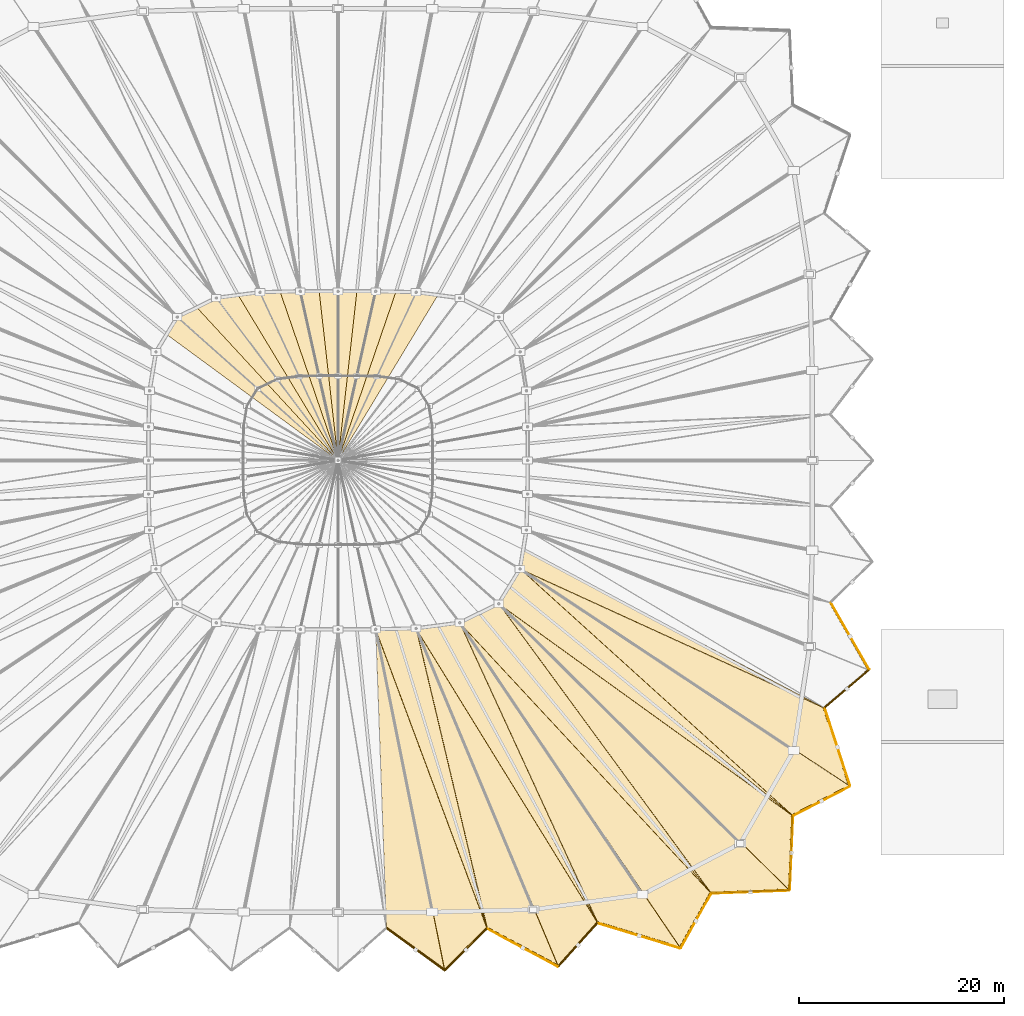
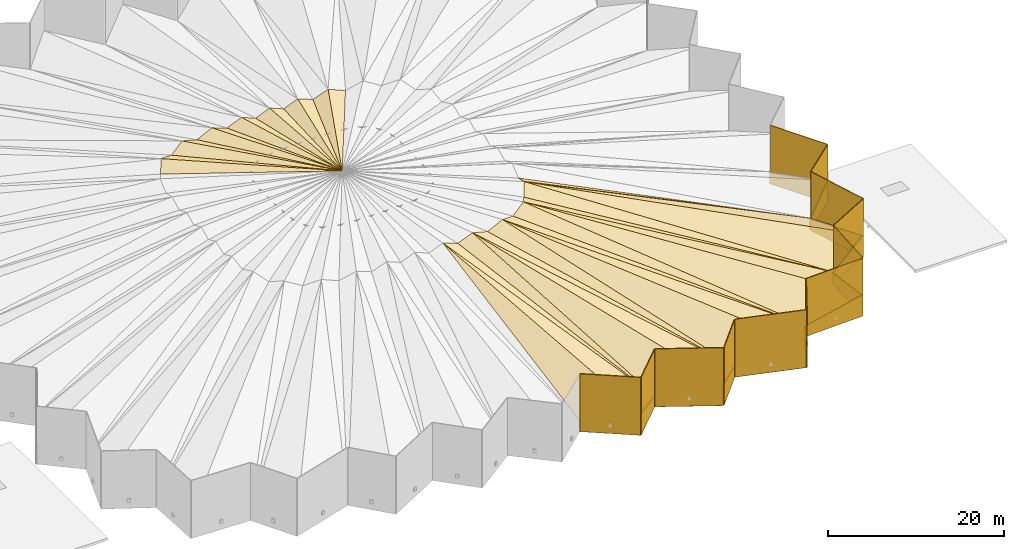
# One storey, part 38 of 41: 45 coverings, 12 shading devices.
"""IFC4 building model written with IfcOpenShell, lengths in metres."""

from ifc_helpers import new_model, si_unit, direction, frame, origin, origin_2d, place, context, subcontext, project, spatial, polyline, rectangle, outline, extrude, material, layer, layer_set, type_object, element, save


model = new_model("IFC4")

# Units and contexts
model_context = context("Model", 3, precision=1e-05, world=origin(), true_north=direction((0.0, 1.0)))
body_context = subcontext(model_context, "Body", "Model", "MODEL_VIEW")
ifc_project = project(units=[si_unit("LENGTHUNIT", "METRE"), si_unit("AREAUNIT", "SQUARE_METRE"), si_unit("VOLUMEUNIT", "CUBIC_METRE"), si_unit("PLANEANGLEUNIT", "RADIAN"), si_unit("MASSUNIT", "GRAM", prefix="KILO")], contexts=[model_context])

# Site, building, storey
site_placement = place(None, origin())
site = spatial("IfcSite", under=ifc_project, at=site_placement, CompositionType="ELEMENT")
building_placement = place(site_placement, origin())
building = spatial("IfcBuilding", under=site, at=building_placement, Name="Luwafu Chhajja Arena", CompositionType="ELEMENT")
storey_placement = place(building_placement, frame((0.0, 0.0, 29.699951171875)))
storey = spatial("IfcBuildingStorey", under=building, at=storey_placement, Name="RF", CompositionType="ELEMENT", Elevation=29.699951171875)

# Shading devices
ifc_material_1 = material(Name="Pierced buff sandstone jali", Category="masonry")
ifc_layer_1 = layer(ifc_material_1, 0.080078125, Name="Pierced buff sandstone jali")
ifc_layer_set_1 = layer_set([ifc_layer_1], Name="Pierced buff sandstone jali")
shading_device_type = type_object("IfcShadingDeviceType", Name="Pierced Buff-Sandstone Jali Screen", PredefinedType="JALOUSIE", material=ifc_layer_set_1)
shading_device_1_placement = place(storey_placement, frame((106.570068359375, 1.723388671875, -1.06005859375), z_axis=(0.0, 0.0, 1.0), x_axis=(0.808838836348, -0.588030387663, 0.0)))
element("IfcShadingDevice", 1, at=shading_device_1_placement, inside=storey, type_object=shading_device_type, Name="RF Crown Acoustic Jali Screen 50", PredefinedType="JALOUSIE", context=body_context, shape_type="SweptSolid", body=[
    extrude(rectangle(XDim=6.927490234375, YDim=0.080078125, at=origin_2d()), origin(), (0.0, 0.0, 1.0), 8.02001953125),
])
shading_device_2_placement = place(storey_placement, frame((111.4892578125, 1.716796875, -1.06005859375), z_axis=(0.0, 0.0, 1.0), x_axis=(0.710108737602, 0.70409202579, 0.0)))
element("IfcShadingDevice", 2, at=shading_device_2_placement, inside=storey, type_object=shading_device_type, Name="RF Crown Acoustic Jali Screen 51", PredefinedType="JALOUSIE", context=body_context, shape_type="SweptSolid", body=[
    extrude(rectangle(XDim=5.75048828125, YDim=0.080078125, at=origin_2d()), origin(), (0.0, 0.0, 1.0), 8.02001953125),
])
shading_device_3_placement = place(storey_placement, frame((117.038818359375, 1.913818359375, -1.06005859375), z_axis=(0.0, 0.0, 1.0), x_axis=(0.881200624672, -0.472742487067, 0.0)))
element("IfcShadingDevice", 3, at=shading_device_3_placement, inside=storey, type_object=shading_device_type, Name="RF Crown Acoustic Jali Screen 52", PredefinedType="JALOUSIE", context=body_context, shape_type="SweptSolid", body=[
    extrude(rectangle(XDim=7.780517578125, YDim=0.080078125, at=origin_2d()), origin(), (0.0, 0.0, 1.0), 8.02001953125),
])
shading_device_4_placement = place(storey_placement, frame((122.4375, 2.18359375, -1.06005859375), z_axis=(0.0, 0.0, 1.0), x_axis=(0.670358269136, 0.742037594062, 0.0)))
element("IfcShadingDevice", 4, at=shading_device_4_placement, inside=storey, type_object=shading_device_type, Name="RF Crown Acoustic Jali Screen 53", PredefinedType="JALOUSIE", context=body_context, shape_type="SweptSolid", body=[
    extrude(rectangle(XDim=5.647705078125, YDim=0.080078125, at=origin_2d()), origin(), (0.0, 0.0, 1.0), 8.02001953125),
])
shading_device_5_placement = place(storey_placement, frame((128.395751953125, 3.090087890625, -1.06005859375), z_axis=(0.0, 0.0, 1.0), x_axis=(0.9567402425, -0.290943479702, 0.0)))
element("IfcShadingDevice", 5, at=shading_device_5_placement, inside=storey, type_object=shading_device_type, Name="RF Crown Acoustic Jali Screen 54", PredefinedType="JALOUSIE", context=body_context, shape_type="SweptSolid", body=[
    extrude(rectangle(XDim=8.328125, YDim=0.080078125, at=origin_2d()), origin(), (0.0, 0.0, 1.0), 8.02001953125),
])
shading_device_6_placement = place(storey_placement, frame((133.9267578125, 4.550537109375, -1.06005859375), z_axis=(0.0, 0.0, 1.0), x_axis=(0.487313131845, 0.873227296603, 0.0)))
element("IfcShadingDevice", 6, at=shading_device_6_placement, inside=storey, type_object=shading_device_type, Name="RF Crown Acoustic Jali Screen 55", PredefinedType="JALOUSIE", context=body_context, shape_type="SweptSolid", body=[
    extrude(rectangle(XDim=6.052978515625, YDim=0.080078125, at=origin_2d()), origin(), (0.0, 0.0, 1.0), 8.02001953125),
])
shading_device_7_placement = place(storey_placement, frame((139.254638671875, 7.38037109375, -1.06005859375), z_axis=(0.0, 0.0, 1.0), x_axis=(0.999297927203, 0.037465353157, 0.0)))
element("IfcShadingDevice", 7, at=shading_device_7_placement, inside=storey, type_object=shading_device_type, Name="RF Crown Acoustic Jali Screen 56", PredefinedType="JALOUSIE", context=body_context, shape_type="SweptSolid", body=[
    extrude(rectangle(XDim=7.56298828125, YDim=0.080078125, at=origin_2d()), origin(), (0.0, 0.0, 1.0), 8.02001953125),
])
shading_device_8_placement = place(storey_placement, frame((143.2421875, 11.16357421875, -1.06005859375), z_axis=(0.0, 0.0, 1.0), x_axis=(0.043562300264, 0.999050712424, 0.0)))
element("IfcShadingDevice", 8, at=shading_device_8_placement, inside=storey, type_object=shading_device_type, Name="RF Crown Acoustic Jali Screen 57", PredefinedType="JALOUSIE", context=body_context, shape_type="SweptSolid", body=[
    extrude(rectangle(XDim=7.18603515625, YDim=0.080078125, at=origin_2d()), origin(), (0.0, 0.0, 1.0), 8.02001953125),
])
shading_device_9_placement = place(storey_placement, frame((146.197509765625, 16.24755859375, -1.06005859375), z_axis=(0.0, 0.0, 1.0), x_axis=(0.888491974028, 0.458892157361, 0.0)))
element("IfcShadingDevice", 9, at=shading_device_9_placement, inside=storey, type_object=shading_device_type, Name="RF Crown Acoustic Jali Screen 58", PredefinedType="JALOUSIE", context=body_context, shape_type="SweptSolid", body=[
    extrude(rectangle(XDim=6.1953125, YDim=0.080078125, at=origin_2d()), origin(), (0.0, 0.0, 1.0), 8.02001953125),
])
shading_device_10_placement = place(storey_placement, frame((147.749267578125, 21.507080078125, -1.06005859375), z_axis=(0.0, 0.0, 1.0), x_axis=(-0.310226236034, 0.950662759593, 0.0)))
element("IfcShadingDevice", 10, at=shading_device_10_placement, inside=storey, type_object=shading_device_type, Name="RF Crown Acoustic Jali Screen 59", PredefinedType="JALOUSIE", context=body_context, shape_type="SweptSolid", body=[
    extrude(rectangle(XDim=7.926513671875, YDim=0.080078125, at=origin_2d()), origin(), (0.0, 0.0, 1.0), 8.02001953125),
])
shading_device_11_placement = place(storey_placement, frame((148.68359375, 27.18359375, -1.06005859375), z_axis=(0.0, 0.0, 1.0), x_axis=(0.760438832621, 0.649409564021, 0.0)))
element("IfcShadingDevice", 11, at=shading_device_11_placement, inside=storey, type_object=shading_device_type, Name="RF Crown Acoustic Jali Screen 60", PredefinedType="JALOUSIE", context=body_context, shape_type="SweptSolid", body=[
    extrude(rectangle(XDim=5.6318359375, YDim=0.080078125, at=origin_2d()), origin(), (0.0, 0.0, 1.0), 8.02001953125),
])
shading_device_12_placement = place(storey_placement, frame((148.98291015625, 32.3251953125, -1.06005859375), z_axis=(0.0, 0.0, 1.0), x_axis=(-0.497200973482, 0.867635402671, 0.0)))
element("IfcShadingDevice", 12, at=shading_device_12_placement, inside=storey, type_object=shading_device_type, Name="RF Crown Acoustic Jali Screen 61", PredefinedType="JALOUSIE", context=body_context, shape_type="SweptSolid", body=[
    extrude(rectangle(XDim=7.4619140625, YDim=0.080078125, at=origin_2d()), origin(), (0.0, 0.0, 1.0), 8.02001953125),
])

# Coverings
ifc_material_2 = material(Name="White architectural roof membrane")
ifc_layer_2 = layer(ifc_material_2, 0.06005859375, Name="White architectural roof membrane")
ifc_layer_set_2 = layer_set([ifc_layer_2], Name="White architectural roof membrane")
covering_type = type_object("IfcCoveringType", Name="White Architectural Standing-Seam Roofing", PredefinedType="ROOFING", material=ifc_layer_set_2)
covering_1_placement = place(storey_placement, frame((108.74658203125, 65.627197265625, 6.965087890625), z_axis=(0.322673472278, -0.075662540078, 0.943481324838), x_axis=(-0.936088370504, 0.122005092805, 0.329929265051)))
element("IfcCovering", 13, at=covering_1_placement, inside=storey, type_object=covering_type, Name="Oculus Standing-Seam Roof Covering 06OB", PredefinedType="ROOFING", context=body_context, shape_type="SweptSolid", body=[
    extrude(outline(polyline([(0.0, 0.0), (2.273214532464525, 5.551115123125783e-17), (7.829130481095709, 17.2611942872668), (0.0, 0.0)])), origin(), (0.0, 0.0, -1.0), 0.06005859375),
])
covering_2_placement = place(storey_placement, frame((106.61865234375, 65.904541015625, 7.715087890625), z_axis=(-0.341573407633, 0.230291018044, 0.911204507345), x_axis=(-0.934341985642, 0.021653482627, -0.355719244007)))
element("IfcCovering", 14, at=covering_2_placement, inside=storey, type_object=covering_type, Name="Oculus Standing-Seam Roof Covering 07OA", PredefinedType="ROOFING", context=body_context, shape_type="SweptSolid", body=[
    extrude(outline(polyline([(0.0, 0.0), (2.1084043459436232, 0.0), (6.304319594841642, 17.002134710003972), (0.0, 0.0)])), origin(), (0.0, 0.0, -1.0), 0.06005859375),
])
covering_3_placement = place(storey_placement, frame((104.648681640625, 65.9501953125, 6.965087890625), z_axis=(0.355708524955, -0.00624384641, 0.934576085536), x_axis=(-0.934329613759, 0.0215400729, 0.355758623385)))
element("IfcCovering", 15, at=covering_3_placement, inside=storey, type_object=covering_type, Name="Oculus Standing-Seam Roof Covering 07OB", PredefinedType="ROOFING", context=body_context, shape_type="SweptSolid", body=[
    extrude(outline(polyline([(0.0, 0.0), (2.1081709639658537, -1.5178830414797062e-18), (5.64915361780374, 16.576047564950812), (0.0, 0.0)])), origin(), (0.0, 0.0, -1.0), 0.06005859375),
])
covering_4_placement = place(storey_placement, frame((102.678955078125, 65.99560546875, 7.715087890625), z_axis=(-0.372823848639, 0.15470052051, 0.914915365944), x_axis=(-0.925997932342, 0.001106036017, -0.377526960604)))
element("IfcCovering", 16, at=covering_4_placement, inside=storey, type_object=covering_type, Name="Oculus Standing-Seam Roof Covering 08OA", PredefinedType="ROOFING", context=body_context, shape_type="SweptSolid", body=[
    extrude(outline(polyline([(0.0, 0.0), (1.9866130853260984, -1.3877787807814457e-17), (2.9014355354181727, 16.69986774989865), (0.0, 0.0)])), origin(), (0.0, 0.0, -1.0), 0.06005859375),
])
covering_5_placement = place(storey_placement, frame((100.83935546875, 65.997802734375, 6.965087890625), z_axis=(0.37665856712, 0.072205737001, 0.923533786799), x_axis=(-0.925980413694, 0.001106161896, 0.377569927113)))
element("IfcCovering", 17, at=covering_5_placement, inside=storey, type_object=covering_type, Name="Oculus Standing-Seam Roof Covering 08OB", PredefinedType="ROOFING", context=body_context, shape_type="SweptSolid", body=[
    extrude(outline(polyline([(0.0, 0.0), (1.9863870137505326, -6.938893903907228e-18), (2.4552152972702403, 16.543711821213158), (0.0, 0.0)])), origin(), (0.0, 0.0, -1.0), 0.06005859375),
])
covering_6_placement = place(storey_placement, frame((99.0, 66.0, 7.715087890625), z_axis=(-0.37665856712, 0.072205737001, 0.923533786799), x_axis=(-0.925980413694, -0.001106161896, -0.377569927113)))
element("IfcCovering", 18, at=covering_6_placement, inside=storey, type_object=covering_type, Name="Oculus Standing-Seam Roof Covering 09OA", PredefinedType="ROOFING", context=body_context, shape_type="SweptSolid", body=[
    extrude(outline(polyline([(0.0, 0.0), (1.9863870137505326, 6.938893903907228e-18), (-0.46882828351970757, 16.543711821213158), (0.0, 0.0)])), origin(), (0.0, 0.0, -1.0), 0.06005859375),
])
covering_7_placement = place(storey_placement, frame((97.16064453125, 65.997802734375, 6.965087890625), z_axis=(0.372823848639, 0.15470052051, 0.914915365944), x_axis=(-0.925997932342, -0.001106036017, 0.377526960604)))
element("IfcCovering", 19, at=covering_7_placement, inside=storey, type_object=covering_type, Name="Oculus Standing-Seam Roof Covering 09OB", PredefinedType="ROOFING", context=body_context, shape_type="SweptSolid", body=[
    extrude(outline(polyline([(0.0, 0.0), (1.9866130853260984, 1.3877787807814457e-17), (-0.9148224500920746, 16.699867749898655), (0.0, 0.0)])), origin(), (0.0, 0.0, -1.0), 0.06005859375),
])
covering_8_placement = place(storey_placement, frame((95.321044921875, 65.99560546875, 7.715087890625), z_axis=(-0.355708524955, -0.00624384641, 0.934576085536), x_axis=(-0.934329613759, -0.0215400729, -0.355758623385)))
element("IfcCovering", 20, at=covering_8_placement, inside=storey, type_object=covering_type, Name="Oculus Standing-Seam Roof Covering 10OA", PredefinedType="ROOFING", context=body_context, shape_type="SweptSolid", body=[
    extrude(outline(polyline([(0.0, 0.0), (2.1081709639658537, 1.5178830414797062e-18), (-3.5409826538378866, 16.576047564950812), (0.0, 0.0)])), origin(), (0.0, 0.0, -1.0), 0.06005859375),
])
covering_9_placement = place(storey_placement, frame((93.351318359375, 65.9501953125, 6.965087890625), z_axis=(0.341573407633, 0.230291018044, 0.911204507345), x_axis=(-0.934341985642, -0.021653482627, 0.355719244007)))
element("IfcCovering", 21, at=covering_9_placement, inside=storey, type_object=covering_type, Name="Oculus Standing-Seam Roof Covering 10OB", PredefinedType="ROOFING", context=body_context, shape_type="SweptSolid", body=[
    extrude(outline(polyline([(0.0, 0.0), (2.1084043459436232, 0.0), (-4.195915248898018, 17.002134710003972), (0.0, 0.0)])), origin(), (0.0, 0.0, -1.0), 0.06005859375),
])
covering_10_placement = place(storey_placement, frame((91.38134765625, 65.904541015625, 7.715087890625), z_axis=(-0.322673472278, -0.075662540078, 0.943481324838), x_axis=(-0.936088370504, -0.122005092805, -0.329929265051)))
element("IfcCovering", 22, at=covering_10_placement, inside=storey, type_object=covering_type, Name="Oculus Standing-Seam Roof Covering 11OA", PredefinedType="ROOFING", context=body_context, shape_type="SweptSolid", body=[
    extrude(outline(polyline([(0.0, 0.0), (2.273214532464525, -5.551115123125783e-17), (-5.555915948631183, 17.261194287266797), (0.0, 0.0)])), origin(), (0.0, 0.0, -1.0), 0.06005859375),
])
covering_11_placement = place(storey_placement, frame((89.25341796875, 65.627197265625, 6.965087890625), z_axis=(0.28482491651, 0.287798981333, 0.914355791406), x_axis=(-0.936087342013, -0.121911547124, 0.329966760145)))
element("IfcCovering", 23, at=covering_11_placement, inside=storey, type_object=covering_type, Name="Oculus Standing-Seam Roof Covering 11OB", PredefinedType="ROOFING", context=body_context, shape_type="SweptSolid", body=[
    extrude(outline(polyline([(0.0, 0.0), (2.272956220409128, 0.0), (-6.4844154178983695, 17.810010359371372), (0.0, 0.0)])), origin(), (0.0, 0.0, -1.0), 0.06005859375),
])
covering_12_placement = place(storey_placement, frame((87.125732421875, 65.35009765625, 7.715087890625), z_axis=(-0.299130237372, -0.147364998323, 0.94276437054), x_axis=(-0.847212699569, -0.41356571241, -0.333457708274)))
element("IfcCovering", 24, at=covering_12_placement, inside=storey, type_object=covering_type, Name="Oculus Standing-Seam Roof Covering 12OA", PredefinedType="ROOFING", context=body_context, shape_type="SweptSolid", body=[
    extrude(outline(polyline([(0.0, 0.0), (2.2491607822846755, -7.28583859910259e-17), (-3.935146830663786, 19.452574288084985), (0.0, 0.0)])), origin(), (0.0, 0.0, -1.0), 0.06005859375),
])
covering_13_placement = place(storey_placement, frame((85.22021484375, 64.419921875, 6.965087890625), z_axis=(0.208288211188, 0.318801491117, 0.924652167218), x_axis=(-0.847243330755, -0.413527682575, 0.333427044847)))
element("IfcCovering", 25, at=covering_13_placement, inside=storey, type_object=covering_type, Name="Oculus Standing-Seam Roof Covering 12OB", PredefinedType="ROOFING", context=body_context, shape_type="SweptSolid", body=[
    extrude(outline(polyline([(0.0, 0.0), (2.249367625061987, 0.0), (-4.824826159725481, 19.833541277680744), (0.0, 0.0)])), origin(), (0.0, 0.0, -1.0), 0.06005859375),
])
covering_14_placement = place(storey_placement, frame((83.314453125, 63.48974609375, 7.715087890625), z_axis=(-0.285728943512, -0.234686289667, 0.929129332376), x_axis=(-0.489572639966, -0.797732946349, -0.352052235481)))
element("IfcCovering", 26, at=covering_14_placement, inside=storey, type_object=covering_type, Name="Oculus Standing-Seam Roof Covering 13OA", PredefinedType="ROOFING", context=body_context, shape_type="SweptSolid", body=[
    extrude(outline(polyline([(0.0, 0.0), (2.130365679898182, -5.551115123125783e-17), (3.0267056413254814, 20.838729094619957), (0.0, 0.0)])), origin(), (0.0, 0.0, -1.0), 0.06005859375),
])
covering_15_placement = place(storey_placement, frame((103.72802734375, 3.78955078125, 0.465087890625), z_axis=(-0.396839891971, -0.234476980596, 0.887433741589), x_axis=(0.792155582605, -0.575896632212, 0.202070784515)))
element("IfcCovering", 27, at=covering_15_placement, inside=storey, type_object=covering_type, Name="White Folded Roof Covering 25B1", PredefinedType="ROOFING", context=body_context, shape_type="SweptSolid", body=[
    extrude(outline(polyline([(0.0, 0.0), (7.175461684635255, 1.1102230246251565e-16), (-16.19074539026761, 25.39743907686257), (0.0, 0.0)])), origin(), (0.0, 0.0, -1.0), 0.06005859375),
])
covering_16_placement = place(storey_placement, frame((109.412109375, -0.3427734375, 1.9150390625), z_axis=(0.397267920051, -0.078812957808, 0.914312155328), x_axis=(0.689232259532, 0.683440051428, -0.240558908637)))
element("IfcCovering", 28, at=covering_16_placement, inside=storey, type_object=covering_type, Name="White Folded Roof Covering 26A1", PredefinedType="ROOFING", context=body_context, shape_type="SweptSolid", body=[
    extrude(outline(polyline([(0.0, 0.0), (6.02742662947628, -1.1102230246251565e-16), (16.75482962557586, 30.17093351137999), (0.0, 0.0)])), origin(), (0.0, 0.0, -1.0), 0.06005859375),
])
covering_17_placement = place(storey_placement, frame((113.56640625, 3.776611328125, 0.465087890625), z_axis=(0.356102716043, -0.097866827997, 0.929307774424), x_axis=(-0.28505602519, 0.935720770618, 0.20777319831)))
element("IfcCovering", 29, at=covering_17_placement, inside=storey, type_object=covering_type, Name="White Folded Roof Covering 26A2", PredefinedType="ROOFING", context=body_context, shape_type="SweptSolid", body=[
    extrude(outline(polyline([(0.0, 0.0), (31.28411196860172, -1.5543122344752192e-15), (31.958933065551776, 1.9972484323237887), (0.0, 0.0)])), origin(), (0.0, 0.0, -1.0), 0.06005859375),
])
covering_18_placement = place(storey_placement, frame((113.56640625, 3.776611328125, 0.465087890625), z_axis=(-0.347305866704, -0.301848847141, 0.887843403102), x_axis=(0.866654918212, -0.464937741322, 0.180947919116)))
element("IfcCovering", 30, at=covering_18_placement, inside=storey, type_object=covering_type, Name="White Folded Roof Covering 26B1", PredefinedType="ROOFING", context=body_context, shape_type="SweptSolid", body=[
    extrude(outline(polyline([(0.0, 0.0), (8.013085637880708, 1.1102230246251565e-16), (-18.34087148726201, 24.980813543997076), (0.0, 0.0)])), origin(), (0.0, 0.0, -1.0), 0.06005859375),
])
covering_19_placement = place(storey_placement, frame((113.56640625, 3.776611328125, 0.465087890625), z_axis=(-0.333332398175, -0.300011088349, 0.893802472135), x_axis=(-0.224187752015, 0.946050570649, 0.233940525822)))
element("IfcCovering", 31, at=covering_19_placement, inside=storey, type_object=covering_type, Name="White Folded Roof Covering 26B2", PredefinedType="ROOFING", context=body_context, shape_type="SweptSolid", body=[
    extrude(outline(polyline([(0.0, 0.0), (30.99078269796051, -4.440892098500626e-16), (31.21377933345233, 2.096578495204338), (0.0, 0.0)])), origin(), (0.0, 0.0, -1.0), 0.06005859375),
])
covering_20_placement = place(storey_placement, frame((120.510986328125, 0.051025390625, 1.9150390625), z_axis=(0.362833494899, -0.011009941503, 0.931788944004), x_axis=(0.649985807312, 0.719506529827, -0.244599271932)))
element("IfcCovering", 32, at=covering_20_placement, inside=storey, type_object=covering_type, Name="White Folded Roof Covering 27A1", PredefinedType="ROOFING", context=body_context, shape_type="SweptSolid", body=[
    extrude(outline(polyline([(0.0, 0.0), (5.927863809344509, -5.551115123125783e-17), (13.327178104342902, 33.778076103427374), (0.0, 0.0)])), origin(), (0.0, 0.0, -1.0), 0.06005859375),
])
covering_21_placement = place(storey_placement, frame((124.364013671875, 4.316162109375, 0.465087890625), z_axis=(0.335754047359, -0.030145291139, 0.941467195979), x_axis=(-0.464499625767, 0.864213720088, 0.193325486352)))
element("IfcCovering", 33, at=covering_21_placement, inside=storey, type_object=covering_type, Name="White Folded Roof Covering 27A2", PredefinedType="ROOFING", context=body_context, shape_type="SweptSolid", body=[
    extrude(outline(polyline([(0.0, 0.0), (33.62205430160382, 1.9984014443252818e-15), (34.515786685939844, 2.0901547157559786), (0.0, 0.0)])), origin(), (0.0, 0.0, -1.0), 0.06005859375),
])
covering_22_placement = place(storey_placement, frame((124.364013671875, 4.316162109375, 0.465087890625), z_axis=(-0.26675234631, -0.345079364923, 0.899868555758), x_axis=(0.942886814587, -0.286737167425, 0.169547196071)))
element("IfcCovering", 34, at=covering_22_placement, inside=storey, type_object=covering_type, Name="White Folded Roof Covering 27B1", PredefinedType="ROOFING", context=body_context, shape_type="SweptSolid", body=[
    extrude(outline(polyline([(0.0, 0.0), (8.551902983216202, 0.0), (-19.901160137188864, 26.437622642847423), (0.0, 0.0)])), origin(), (0.0, 0.0, -1.0), 0.06005859375),
])
covering_23_placement = place(storey_placement, frame((124.364013671875, 4.316162109375, 0.465087890625), z_axis=(-0.271343713857, -0.346697269379, 0.8978717015), x_axis=(-0.407657943727, 0.886460882412, 0.219093826636)))
element("IfcCovering", 35, at=covering_23_placement, inside=storey, type_object=covering_type, Name="White Folded Roof Covering 27B2", PredefinedType="ROOFING", context=body_context, shape_type="SweptSolid", body=[
    extrude(outline(polyline([(0.0, 0.0), (33.0908456496904, 1.7763568394002505e-15), (33.54825523040851, 2.226456030413321), (0.0, 0.0)])), origin(), (0.0, 0.0, -1.0), 0.06005859375),
])
covering_24_placement = place(storey_placement, frame((132.427490234375, 1.864013671875, 1.9150390625), z_axis=(0.34299732248, 0.061543246292, 0.937318124015), x_axis=(0.474313891171, 0.849949173765, -0.229374660017)))
element("IfcCovering", 36, at=covering_24_placement, inside=storey, type_object=covering_type, Name="White Folded Roof Covering 28A1", PredefinedType="ROOFING", context=body_context, shape_type="SweptSolid", body=[
    extrude(outline(polyline([(0.0, 0.0), (6.32132238046018, 3.3306690738754696e-16), (15.46301268064767, 35.62891986543352), (0.0, 0.0)])), origin(), (0.0, 0.0, -1.0), 0.06005859375),
])
covering_25_placement = place(storey_placement, frame((135.42578125, 7.23681640625, 0.465087890625), z_axis=(0.340549010201, 0.058977332985, 0.938375215916), x_axis=(-0.627424833097, 0.757566209461, 0.180087526212)))
element("IfcCovering", 37, at=covering_25_placement, inside=storey, type_object=covering_type, Name="White Folded Roof Covering 28A2", PredefinedType="ROOFING", context=body_context, shape_type="SweptSolid", body=[
    extrude(outline(polyline([(0.0, 0.0), (36.093560374368714, -8.881784197001252e-16), (36.71952532671167, 2.160299077212619), (0.0, 0.0)])), origin(), (0.0, 0.0, -1.0), 0.06005859375),
])
covering_26_placement = place(storey_placement, frame((135.42578125, 7.23681640625, 0.465087890625), z_axis=(-0.161121281177, -0.35438784221, 0.921113016978), x_axis=(0.981876238956, 0.036813315597, 0.185913504532)))
element("IfcCovering", 38, at=covering_26_placement, inside=storey, type_object=covering_type, Name="White Folded Roof Covering 28B1", PredefinedType="ROOFING", context=body_context, shape_type="SweptSolid", body=[
    extrude(outline(polyline([(0.0, 0.0), (7.799063201578999, -1.1102230246251565e-16), (-17.975631437643397, 30.96746299609228), (0.0, 0.0)])), origin(), (0.0, 0.0, -1.0), 0.06005859375),
])
covering_27_placement = place(storey_placement, frame((135.42578125, 7.23681640625, 0.465087890625), z_axis=(-0.180395346816, -0.366395927762, 0.912804219407), x_axis=(-0.579230615879, 0.789616950321, 0.202477073749)))
element("IfcCovering", 39, at=covering_27_placement, inside=storey, type_object=covering_type, Name="White Folded Roof Covering 28B2", PredefinedType="ROOFING", context=body_context, shape_type="SweptSolid", body=[
    extrude(outline(polyline([(0.0, 0.0), (35.806523009032, 0.0), (36.02405817413662, 2.2388240584333343), (0.0, 0.0)])), origin(), (0.0, 0.0, -1.0), 0.06005859375),
])
covering_28_placement = place(storey_placement, frame((143.08349609375, 7.52392578125, 1.9150390625), z_axis=(0.353422787371, 0.167898181303, 0.920273075822), x_axis=(0.042721675449, 0.979838057845, -0.195172331149)))
element("IfcCovering", 40, at=covering_28_placement, inside=storey, type_object=covering_type, Name="White Folded Roof Covering 29A1", PredefinedType="ROOFING", context=body_context, shape_type="SweptSolid", body=[
    extrude(outline(polyline([(0.0, 0.0), (7.429081588250116, -5.551115123125783e-17), (25.076852375687473, 31.535220358949157), (0.0, 0.0)])), origin(), (0.0, 0.0, -1.0), 0.06005859375),
])
covering_29_placement = place(storey_placement, frame((143.40087890625, 14.80322265625, 0.465087890625), z_axis=(0.361773439984, 0.18152691541, 0.914422198497), x_axis=(-0.764540588013, 0.619053531189, 0.179584004864)))
element("IfcCovering", 41, at=covering_29_placement, inside=storey, type_object=covering_type, Name="White Folded Roof Covering 29A2", PredefinedType="ROOFING", context=body_context, shape_type="SweptSolid", body=[
    extrude(outline(polyline([(0.0, 0.0), (36.1947602456949, -1.7763568394002505e-15), (36.07478168718175, 2.1269845029019714), (0.0, 0.0)])), origin(), (0.0, 0.0, -1.0), 0.06005859375),
])
covering_30_placement = place(storey_placement, frame((143.40087890625, 14.80322265625, 0.465087890625), z_axis=(-0.061853072493, -0.349499184642, 0.934892783884), x_axis=(0.865832474481, 0.447164113403, 0.224451290526)))
element("IfcCovering", 42, at=covering_30_placement, inside=storey, type_object=covering_type, Name="White Folded Roof Covering 29B1", PredefinedType="ROOFING", context=body_context, shape_type="SweptSolid", body=[
    extrude(outline(polyline([(0.0, 0.0), (6.459981443988203, 4.996003610813204e-16), (-10.65010601496204, 35.06257738107109), (0.0, 0.0)])), origin(), (0.0, 0.0, -1.0), 0.06005859375),
])
covering_31_placement = place(storey_placement, frame((143.40087890625, 14.80322265625, 0.465087890625), z_axis=(-0.075937057138, -0.363171699042, 0.928622571537), x_axis=(-0.726704981617, 0.65784206445, 0.197847638177)))
element("IfcCovering", 43, at=covering_31_placement, inside=storey, type_object=covering_type, Name="White Folded Roof Covering 29B2", PredefinedType="ROOFING", context=body_context, shape_type="SweptSolid", body=[
    extrude(outline(polyline([(0.0, 0.0), (36.64435960326676, -3.9968028886505635e-15), (36.13558826032391, 2.068799246828231), (0.0, 0.0)])), origin(), (0.0, 0.0, -1.0), 0.06005859375),
])
covering_32_placement = place(storey_placement, frame((148.994140625, 17.69189453125, 1.9150390625), z_axis=(0.3473951664, 0.283222007204, 0.893924992937), x_axis=(-0.305276328373, 0.935524232111, -0.177766066694)))
element("IfcCovering", 44, at=covering_32_placement, inside=storey, type_object=covering_type, Name="White Folded Roof Covering 30A1", PredefinedType="ROOFING", context=body_context, shape_type="SweptSolid", body=[
    extrude(outline(polyline([(0.0, 0.0), (8.156512650831873, 3.3306690738754696e-16), (28.655349656733165, 26.476600263381375), (0.0, 0.0)])), origin(), (0.0, 0.0, -1.0), 0.06005859375),
])
covering_33_placement = place(storey_placement, frame((146.504150390625, 25.322509765625, 0.465087890625), z_axis=(0.351068333593, 0.293866383655, 0.88904081667), x_axis=(-0.868485729871, 0.457076891432, 0.191867799093)))
element("IfcCovering", 45, at=covering_33_placement, inside=storey, type_object=covering_type, Name="White Folded Roof Covering 30A2", PredefinedType="ROOFING", context=body_context, shape_type="SweptSolid", body=[
    extrude(outline(polyline([(0.0, 0.0), (33.87749289211558, 0.0), (33.42391416551456, 2.013614153136003), (0.0, 0.0)])), origin(), (0.0, 0.0, -1.0), 0.06005859375),
])
covering_34_placement = place(storey_placement, frame((103.72802734375, 3.78955078125, -1.099853515625), z_axis=(-0.588027090371, -0.808841233488, 0.0), x_axis=(0.808841233488, -0.588027090371, 0.0)))
element("IfcCovering", 46, at=covering_34_placement, inside=storey, type_object=covering_type, Name="RF Pleated Rim Eave Fascia 50", PredefinedType="ROOFING", context=body_context, shape_type="SweptSolid", body=[
    extrude(outline(polyline([(0.0, 0.0), (7.0274385082223905, 0.0), (7.0274385082223905, 2.949951171875), (0.0, 1.5), (0.0, 0.0)])), origin(), (0.0, 0.0, -1.0), 0.139892578125),
])
covering_35_placement = place(storey_placement, frame((109.412109375, -0.3427734375, -1.099853515625), z_axis=(0.704116763638, -0.710084208502, 0.0), x_axis=(0.710084208502, 0.704116763638, 0.0)))
element("IfcCovering", 47, at=covering_35_placement, inside=storey, type_object=covering_type, Name="RF Pleated Rim Eave Fascia 51", PredefinedType="ROOFING", context=body_context, shape_type="SweptSolid", body=[
    extrude(outline(polyline([(0.0, 0.0), (5.8504284777183715, 0.0), (5.8504284777183715, 1.5), (0.0, 2.949951171875), (0.0, 0.0)])), origin(), (0.0, 0.0, -1.0), 0.139892578125),
])
covering_36_placement = place(storey_placement, frame((113.56640625, 3.776611328125, -1.099853515625), z_axis=(-0.472741435731, -0.881201188687, 0.0), x_axis=(0.881201188687, -0.472741435731, 0.0)))
element("IfcCovering", 48, at=covering_36_placement, inside=storey, type_object=covering_type, Name="RF Pleated Rim Eave Fascia 52", PredefinedType="ROOFING", context=body_context, shape_type="SweptSolid", body=[
    extrude(outline(polyline([(0.0, 0.0), (7.880811064807251, 0.0), (7.880811064807251, 2.9499511718749996), (0.0, 1.4999999999999998), (0.0, 0.0)])), origin(), (0.0, 0.0, -1.0), 0.139892578125),
])
covering_37_placement = place(storey_placement, frame((120.510986328125, 0.051025390625, -1.099853515625), z_axis=(0.742046752654, -0.670348131104, 0.0), x_axis=(0.670348131104, 0.742046752654, 0.0)))
element("IfcCovering", 49, at=covering_37_placement, inside=storey, type_object=covering_type, Name="RF Pleated Rim Eave Fascia 53", PredefinedType="ROOFING", context=body_context, shape_type="SweptSolid", body=[
    extrude(outline(polyline([(0.0, 0.0), (5.747800530752151, 0.0), (5.747800530752151, 1.5), (0.0, 2.949951171875), (0.0, 0.0)])), origin(), (0.0, 0.0, -1.0), 0.139892578125),
])
covering_38_placement = place(storey_placement, frame((124.364013671875, 4.316162109375, -1.099853515625), z_axis=(-0.290949514446, -0.956738407321, 0.0), x_axis=(0.956738407321, -0.290949514446, 0.0)))
element("IfcCovering", 50, at=covering_38_placement, inside=storey, type_object=covering_type, Name="RF Pleated Rim Eave Fascia 54", PredefinedType="ROOFING", context=body_context, shape_type="SweptSolid", body=[
    extrude(outline(polyline([(0.0, 0.0), (8.428089121118767, 0.0), (8.428089121118767, 2.949951171875), (0.0, 1.5), (0.0, 0.0)])), origin(), (0.0, 0.0, -1.0), 0.139892578125),
])
covering_39_placement = place(storey_placement, frame((132.427490234375, 1.864013671875, -1.099853515625), z_axis=(0.87323108, -0.487306352228, 0.0), x_axis=(0.487306352228, 0.87323108, 0.0)))
element("IfcCovering", 51, at=covering_39_placement, inside=storey, type_object=covering_type, Name="RF Pleated Rim Eave Fascia 55", PredefinedType="ROOFING", context=body_context, shape_type="SweptSolid", body=[
    extrude(outline(polyline([(0.0, 0.0), (6.152784592108283, 0.0), (6.152784592108283, 1.4999999999999998), (0.0, 2.9499511718749996), (0.0, 0.0)])), origin(), (0.0, 0.0, -1.0), 0.139892578125),
])
covering_40_placement = place(storey_placement, frame((135.42578125, 7.23681640625, -1.099853515625), z_axis=(0.037466502319, -0.999297884119, 0.0), x_axis=(0.999297884119, 0.037466502319, 0.0)))
element("IfcCovering", 52, at=covering_40_placement, inside=storey, type_object=covering_type, Name="RF Pleated Rim Eave Fascia 56", PredefinedType="ROOFING", context=body_context, shape_type="SweptSolid", body=[
    extrude(outline(polyline([(0.0, 0.0), (7.663095224607481, 0.0), (7.663095224607481, 2.949951171875), (0.0, 1.5), (0.0, 0.0)])), origin(), (0.0, 0.0, -1.0), 0.139892578125),
])
covering_41_placement = place(storey_placement, frame((143.08349609375, 7.52392578125, -1.099853515625), z_axis=(0.999050840313, -0.043559367199, 0.0), x_axis=(0.043559367199, 0.999050840313, 0.0)))
element("IfcCovering", 53, at=covering_41_placement, inside=storey, type_object=covering_type, Name="RF Pleated Rim Eave Fascia 57", PredefinedType="ROOFING", context=body_context, shape_type="SweptSolid", body=[
    extrude(outline(polyline([(0.0, 0.0), (7.286212654325646, 0.0), (7.286212654325646, 1.5), (0.0, 2.949951171875), (0.0, 0.0)])), origin(), (0.0, 0.0, -1.0), 0.139892578125),
])
covering_42_placement = place(storey_placement, frame((143.40087890625, 14.80322265625, -1.099853515625), z_axis=(0.458872092891, -0.888502336725, 0.0), x_axis=(0.888502336725, 0.458872092891, 0.0)))
element("IfcCovering", 54, at=covering_42_placement, inside=storey, type_object=covering_type, Name="RF Pleated Rim Eave Fascia 58", PredefinedType="ROOFING", context=body_context, shape_type="SweptSolid", body=[
    extrude(outline(polyline([(0.0, 0.0), (6.295157015980636, 0.0), (6.295157015980636, 2.949951171875), (0.0, 1.5), (0.0, 0.0)])), origin(), (0.0, 0.0, -1.0), 0.139892578125),
])
covering_43_placement = place(storey_placement, frame((148.994140625, 17.69189453125, -1.099853515625), z_axis=(0.950665699066, 0.310217228116, 0.0), x_axis=(-0.310217228116, 0.950665699066, 0.0)))
element("IfcCovering", 55, at=covering_43_placement, inside=storey, type_object=covering_type, Name="RF Pleated Rim Eave Fascia 59", PredefinedType="ROOFING", context=body_context, shape_type="SweptSolid", body=[
    extrude(outline(polyline([(0.0, 0.0), (8.02660203463201, 0.0), (8.02660203463201, 1.5000000000000004), (0.0, 2.9499511718750004), (0.0, 0.0)])), origin(), (0.0, 0.0, -1.0), 0.139892578125),
])
covering_44_placement = place(storey_placement, frame((146.504150390625, 25.322509765625, -1.099853515625), z_axis=(0.649401190824, -0.760445983194, 0.0), x_axis=(0.760445983194, 0.649401190824, 0.0)))
element("IfcCovering", 56, at=covering_44_placement, inside=storey, type_object=covering_type, Name="RF Pleated Rim Eave Fascia 60", PredefinedType="ROOFING", context=body_context, shape_type="SweptSolid", body=[
    extrude(outline(polyline([(0.0, 0.0), (5.731692552068076, 0.0), (5.731692552068076, 2.9499511718750004), (0.0, 1.5000000000000004), (0.0, 0.0)])), origin(), (0.0, 0.0, -1.0), 0.139892578125),
])
covering_45_placement = place(storey_placement, frame((150.86279296875, 29.044677734375, -1.099853515625), z_axis=(0.86763851296, 0.497195545865, 0.0), x_axis=(-0.497195545865, 0.86763851296, 0.0)))
element("IfcCovering", 57, at=covering_45_placement, inside=storey, type_object=covering_type, Name="RF Pleated Rim Eave Fascia 61", PredefinedType="ROOFING", context=body_context, shape_type="SweptSolid", body=[
    extrude(outline(polyline([(0.0, 0.0), (7.561945508695504, 0.0), (7.561945508695504, 1.5), (0.0, 2.949951171875), (0.0, 0.0)])), origin(), (0.0, 0.0, -1.0), 0.139892578125),
])

save(model, "model.ifc")
